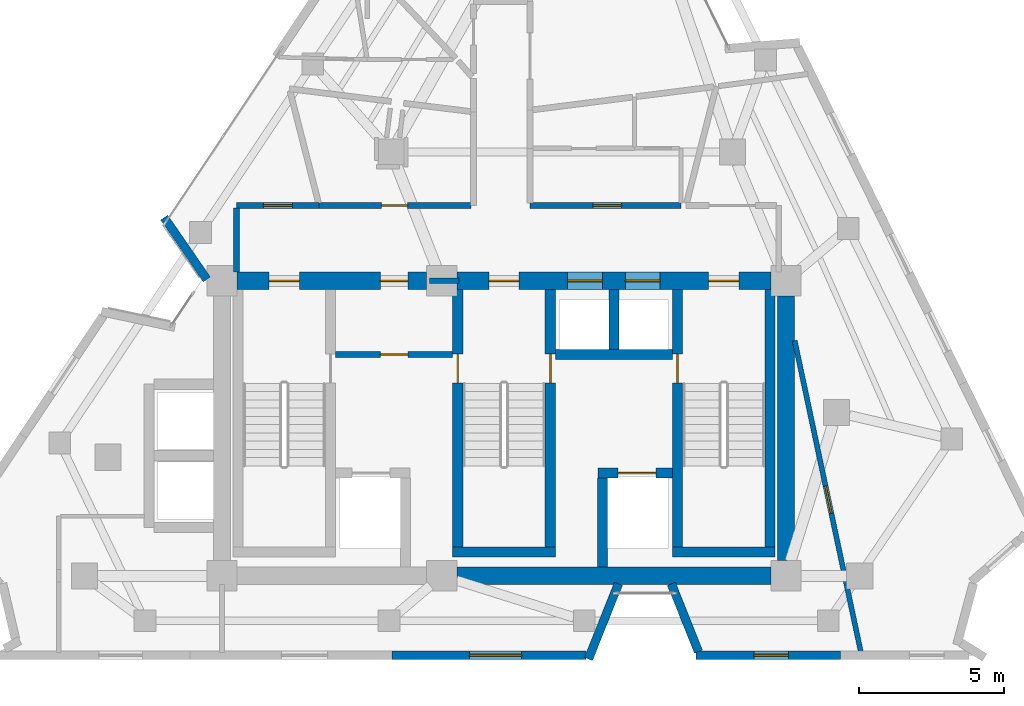
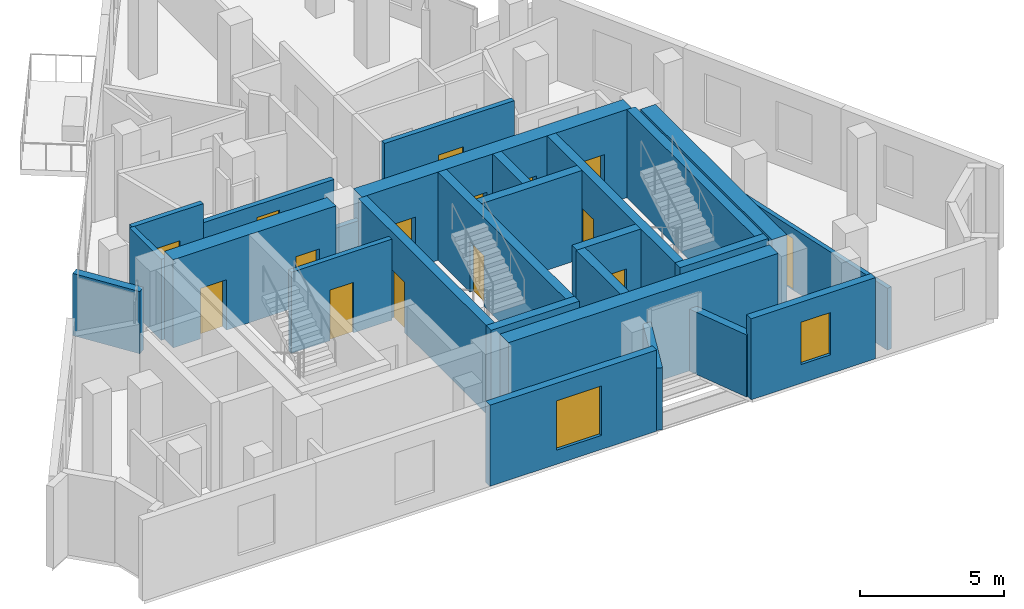
# One storey, part 5 of 8: 26 walls, 15 doors, 2 windows, 17 openings.
"""IFC4 building model written with IfcOpenShell, lengths in metres."""

from ifc_helpers import new_model, si_unit, direction, frame, frame_2d, origin, place, context, subcontext, project, spatial, rectangle, extrude, material, layer, layer_set, type_object, element, fill, save


model = new_model("IFC4")

# Units and contexts
model_context = context("Model", 3, precision=1e-05, world=origin(), true_north=direction((0.0, 1.0)))
body_context = subcontext(model_context, "Body", "Model", "MODEL_VIEW")
ifc_project = project(units=[si_unit("LENGTHUNIT", "METRE"), si_unit("AREAUNIT", "SQUARE_METRE"), si_unit("VOLUMEUNIT", "CUBIC_METRE"), si_unit("PLANEANGLEUNIT", "RADIAN"), si_unit("MASSUNIT", "GRAM", prefix="KILO")], contexts=[model_context])

# Site, building, storey
site_placement = place(None, origin())
site = spatial("IfcSite", under=ifc_project, at=site_placement, CompositionType="ELEMENT")
building_placement = place(site_placement, origin())
building = spatial("IfcBuilding", under=site, at=building_placement, Name="Almagre Mirador Tower", CompositionType="ELEMENT")
storey_placement = place(building_placement, frame((0.0, 0.0, 285.75)))
storey = spatial("IfcBuildingStorey", under=building, at=storey_placement, Name="L74", CompositionType="ELEMENT", Elevation=285.75)

# Wall
ifc_material_1 = material(Name="Precast concrete C50/60", Category="concrete")
ifc_layer_1 = layer(ifc_material_1, 0.300048828125)
ifc_layer_set_1 = layer_set([ifc_layer_1], Name="Precast concrete C50/60")
wall_type_1 = type_object("IfcWallType", Name="WAL-EXT-300", PredefinedType="SOLIDWALL", material=ifc_layer_set_1)
wall_1_placement = place(storey_placement, frame((27.0205078125, 14.80078125, 0.0), z_axis=(0.0, 0.0, 1.0), x_axis=(-0.567515168171, 0.82336294178, 0.0)))
element("IfcWall", 1, at=wall_1_placement, inside=storey, type_object=wall_type_1, Name="L74 expressed almagre precast frame wall 02", PredefinedType="SOLIDWALL", context=body_context, shape_type="SweptSolid", body=[
    extrude(rectangle(XDim=2.59375, YDim=0.300048828125, at=frame_2d((1.296875, 0.0))), origin(), (0.0, 0.0, 1.0), 2.64599609375),
])

# Wall, opening, window
wall_2_placement = place(storey_placement, frame((48.93603515625, 1.800048828125, 0.0), z_axis=(0.0, 0.0, 1.0), x_axis=(-1.0, 0.0, 0.0)))
wall_2 = element("IfcWall", 2, at=wall_2_placement, inside=storey, type_object=wall_type_1, Name="L74 expressed almagre precast frame wall 21", PredefinedType="SOLIDWALL", context=body_context, shape_type="SweptSolid", body=[
    extrude(rectangle(XDim=5.004150390625, YDim=0.300048828125, at=frame_2d((2.501953125, 0.0))), origin(), (0.0, 0.0, 1.0), 3.449951171875),
])
opening_1_placement = place(wall_2_placement, frame((1.800048828125, 0.0, 0.800048828125)))
opening_1 = element("IfcOpeningElement", 3, at=opening_1_placement, cuts=wall_2, Name="Opening WN-04", PredefinedType="OPENING", context=body_context, shape_type="SweptSolid", body=[
    extrude(rectangle(XDim=1.199951171875, YDim=1.800048828125, at=frame_2d((0.60009765625, 0.89990234375))), frame((0.0, 0.159902, 0.0), z_axis=(0.0, -1.0, 0.0), x_axis=(1.0, 0.0, 0.0)), (0.0, 0.0, 1.0), 0.320049),
])
ifc_material_2 = material(Name="Dark solar-control laminated hurricane glass", Category="glass")
window_type_1 = type_object("IfcWindowType", Name="WIN-1200X1800", PartitioningType="SINGLE_PANEL", PredefinedType="WINDOW", material=ifc_material_2)
window_1_placement = place(opening_1_placement, origin())
window_1 = element("IfcWindow", 4, at=window_1_placement, inside=storey, type_object=window_type_1, Name="L74 recessed hurricane window L74-RST-B", OverallHeight=1.800048828125, OverallWidth=1.199951171875, PartitioningType="SINGLE_PANEL", PredefinedType="WINDOW", context=body_context, shape_type="SweptSolid", body=[
    extrude(rectangle(XDim=1.199951171875, YDim=1.800048828125, at=frame_2d((0.60009765625, 0.89990234375))), frame((0.0, 0.030029296875, 0.0), z_axis=(0.0, -1.0, 0.0), x_axis=(1.0, 0.0, 0.0)), (0.0, 0.0, 1.0), 0.06005859375),
])
fill(opening_1, window_1)

# Walls
wall_3_placement = place(storey_placement, frame((44.022216796875, 1.92529296875, 0.0), z_axis=(0.0, 0.0, 1.0), x_axis=(-0.369540985735, 0.929214431583, 0.0)))
element("IfcWall", 5, at=wall_3_placement, inside=storey, type_object=wall_type_1, Name="L74 expressed almagre precast frame wall 22", PredefinedType="SOLIDWALL", context=body_context, shape_type="SweptSolid", body=[
    extrude(rectangle(XDim=2.527099609375, YDim=0.300048828125, at=frame_2d((1.263671875, 0.0))), origin(), (0.0, 0.0, 1.0), 2.64599609375),
])
wall_4_placement = place(storey_placement, frame((41.255615234375, 4.2734375, 0.0), z_axis=(0.0, 0.0, 1.0), x_axis=(-0.369542065233, -0.929214002275, 0.0)))
element("IfcWall", 6, at=wall_4_placement, inside=storey, type_object=wall_type_1, Name="L74 expressed almagre precast frame wall 23", PredefinedType="SOLIDWALL", context=body_context, shape_type="SweptSolid", body=[
    extrude(rectangle(XDim=2.8017578125, YDim=0.300048828125, at=frame_2d((1.40087890625, 0.0))), origin(), (0.0, 0.0, 1.0), 2.64599609375),
])

# Wall, opening, window
wall_5_placement = place(storey_placement, frame((40.136962890625, 1.800048828125, 0.0), z_axis=(0.0, 0.0, 1.0), x_axis=(-1.0, 0.0, 0.0)))
wall_5 = element("IfcWall", 7, at=wall_5_placement, inside=storey, type_object=wall_type_1, Name="L74 expressed almagre precast frame wall 24", PredefinedType="SOLIDWALL", context=body_context, shape_type="SweptSolid", body=[
    extrude(rectangle(XDim=6.708984375, YDim=0.300048828125, at=frame_2d((3.3544921875, 0.0))), origin(), (0.0, 0.0, 1.0), 3.449951171875),
])
opening_2_placement = place(wall_5_placement, frame((2.22509765625, 0.0, 0.60009765625)))
opening_2 = element("IfcOpeningElement", 8, at=opening_2_placement, cuts=wall_5, Name="Opening WN-01", PredefinedType="OPENING", context=body_context, shape_type="SweptSolid", body=[
    extrude(rectangle(XDim=1.800048828125, YDim=2.10009765625, at=frame_2d((0.89990234375, 1.050048828125))), frame((0.0, 0.159902, 0.0), z_axis=(0.0, -1.0, 0.0), x_axis=(1.0, 0.0, 0.0)), (0.0, 0.0, 1.0), 0.320049),
])
ifc_material_3 = material(Name="Dark solar-control laminated hurricane glass", Category="glass")
window_type_2 = type_object("IfcWindowType", Name="WIN-1800X2100", PartitioningType="DOUBLE_PANEL_VERTICAL", PredefinedType="WINDOW", material=ifc_material_3)
window_2_placement = place(opening_2_placement, origin())
window_2 = element("IfcWindow", 9, at=window_2_placement, inside=storey, type_object=window_type_2, Name="L74 recessed hurricane window L74-RST-B", OverallHeight=2.10009765625, OverallWidth=1.800048828125, PartitioningType="SINGLE_PANEL", PredefinedType="WINDOW", context=body_context, shape_type="SweptSolid", body=[
    extrude(rectangle(XDim=1.800048828125, YDim=2.10009765625, at=frame_2d((0.89990234375, 1.050048828125))), frame((0.0, 0.030029296875, 0.0), z_axis=(0.0, -1.0, 0.0), x_axis=(1.0, 0.0, 0.0)), (0.0, 0.0, 1.0), 0.06005859375),
])
fill(opening_2, window_2)

# Wall, opening, door
ifc_material_4 = material(Name="Gypsum acoustic stud partition", Category="other")
ifc_layer_2 = layer(ifc_material_4, 0.175048828125)
ifc_layer_set_2 = layer_set([ifc_layer_2], Name="Gypsum acoustic stud partition")
wall_type_2 = type_object("IfcWallType", Name="WAL-PRT-175-AC", PredefinedType="PARTITIONING", material=ifc_layer_set_2)
wall_6_placement = place(storey_placement, frame((49.64208984375, 1.89697265625, 0.0), z_axis=(0.0, 0.0, 1.0), x_axis=(-0.207911994687, 0.978147536144, 0.0)))
wall_6 = element("IfcWall", 10, at=wall_6_placement, inside=storey, type_object=wall_type_2, Name="L74 interior partition 024", PredefinedType="PARTITIONING", context=body_context, shape_type="SweptSolid", body=[
    extrude(rectangle(XDim=11.02392578125, YDim=0.175048828125, at=frame_2d((5.511962890625, 0.0))), origin(), (0.0, 0.0, 1.0), 2.635009765625),
])
opening_3_placement = place(wall_6_placement, frame((4.927734375, 0.0, 0.0)))
opening_3 = element("IfcOpeningElement", 11, at=opening_3_placement, cuts=wall_6, Name="Opening UD-01", PredefinedType="OPENING", context=body_context, shape_type="SweptSolid", body=[
    extrude(rectangle(XDim=0.949951171875, YDim=2.199951171875, at=frame_2d((0.47509765625, 1.10009765625))), frame((0.0, 0.097402, 0.0), z_axis=(0.0, -1.0, 0.0), x_axis=(1.0, 0.0, 0.0)), (0.0, 0.0, 1.0), 0.195049),
])
ifc_material_5 = material(Name="Solid American walnut timber", Category="wood")
door_type_1 = type_object("IfcDoorType", Name="DOR-UNR-950X2200", OperationType="NOTDEFINED", PredefinedType="DOOR", material=ifc_material_5)
door_1_placement = place(opening_3_placement, origin())
door_1 = element("IfcDoor", 12, at=door_1_placement, inside=storey, type_object=door_type_1, Name="DR-2228 L74 interior door L74-RST-B to L74-RST-E", OperationType="SINGLE_SWING_LEFT", OverallHeight=2.199951171875, OverallWidth=0.949951171875, PredefinedType="DOOR", context=body_context, shape_type="SweptSolid", body=[
    extrude(rectangle(XDim=0.949951171875, YDim=2.199951171875, at=frame_2d((0.47509765625, 1.10009765625))), frame((0.0, 0.02490234375, 0.0), z_axis=(0.0, -1.0, 0.0), x_axis=(1.0, 0.0, 0.0)), (0.0, 0.0, 1.0), 0.050048828125),
])
fill(opening_3, door_1)

# Wall
ifc_material_6 = material(Name="Gypsum acoustic stud partition", Category="other")
ifc_layer_3 = layer(ifc_material_6, 0.199951171875)
ifc_layer_set_3 = layer_set([ifc_layer_3], Name="Gypsum acoustic stud partition")
wall_type_3 = type_object("IfcWallType", Name="WAL-PRT-200-EI60", PredefinedType="PARTITIONING", material=ifc_layer_set_3)
wall_7_placement = place(storey_placement, frame((34.719970703125, 14.75, 0.0), z_axis=(0.0, 0.0, 1.0), x_axis=(1.0, 0.0, 0.0)))
element("IfcWall", 13, at=wall_7_placement, inside=storey, type_object=wall_type_3, Name="L74 core north closure wall", PredefinedType="PARTITIONING", context=body_context, shape_type="SweptSolid", body=[
    extrude(rectangle(XDim=1.030029296875, YDim=0.199951171875, at=frame_2d((0.51513671875, 0.0))), origin(), (0.0, 0.0, 1.0), 2.635009765625),
])

# Wall, opening, door
wall_8_placement = place(storey_placement, frame((31.47998046875, 12.199951171875, 0.0), z_axis=(0.0, 0.0, 1.0), x_axis=(1.0, 0.0, 0.0)))
wall_8 = element("IfcWall", 14, at=wall_8_placement, inside=storey, type_object=wall_type_3, Name="L74 FFL-1 north enclosure wall", PredefinedType="PARTITIONING", context=body_context, shape_type="SweptSolid", body=[
    extrude(rectangle(XDim=4.0400390625, YDim=0.199951171875, at=frame_2d((2.02001953125, 0.0))), origin(), (0.0, 0.0, 1.0), 3.449951171875),
])
opening_4_placement = place(wall_8_placement, frame((1.544921875, 0.0, 0.0)))
opening_4 = element("IfcOpeningElement", 15, at=opening_4_placement, cuts=wall_8, Name="Opening ID-02", PredefinedType="OPENING", context=body_context, shape_type="SweptSolid", body=[
    extrude(rectangle(XDim=0.949951171875, YDim=2.14990234375, at=frame_2d((0.47509765625, 1.074951171875))), frame((0.0, 0.110098, 0.0), z_axis=(0.0, -1.0, 0.0), x_axis=(1.0, 0.0, 0.0)), (0.0, 0.0, 1.0), 0.219951),
])
ifc_material_7 = material(Name="Fire-rated walnut timber", Category="wood")
door_type_2 = type_object("IfcDoorType", Name="DOR-FD60-950X2150", OperationType="NOTDEFINED", PredefinedType="DOOR", material=ifc_material_7)
door_2_placement = place(opening_4_placement, origin())
door_2 = element("IfcDoor", 16, at=door_2_placement, inside=storey, type_object=door_type_2, Name="DR-2213 L74 FFL-1 north smoke door", OperationType="SINGLE_SWING_LEFT", OverallHeight=2.14990234375, OverallWidth=0.949951171875, PredefinedType="DOOR", context=body_context, shape_type="SweptSolid", body=[
    extrude(rectangle(XDim=0.949951171875, YDim=2.14990234375, at=frame_2d((0.47509765625, 1.074951171875))), frame((0.0, 0.02490234375, 0.0), z_axis=(0.0, -1.0, 0.0), x_axis=(1.0, 0.0, 0.0)), (0.0, 0.0, 1.0), 0.050048828125),
])
fill(opening_4, door_2)

wall_9_placement = place(storey_placement, frame((36.1650390625, 17.35009765625, 0.0), z_axis=(0.0, 0.0, 1.0), x_axis=(-1.0, 0.0, 0.0)))
wall_9 = element("IfcWall", 17, at=wall_9_placement, inside=storey, type_object=wall_type_3, Name="L74 interior partition 005", PredefinedType="PARTITIONING", context=body_context, shape_type="SweptSolid", body=[
    extrude(rectangle(XDim=5.255126953125, YDim=0.199951171875, at=frame_2d((2.62744140625, 0.0))), origin(), (0.0, 0.0, 1.0), 2.635009765625),
])
opening_5_placement = place(wall_9_placement, frame((2.1943359375, 0.0, 0.0)))
opening_5 = element("IfcOpeningElement", 18, at=opening_5_placement, cuts=wall_9, Name="Opening ID-03", PredefinedType="OPENING", context=body_context, shape_type="SweptSolid", body=[
    extrude(rectangle(XDim=0.89990234375, YDim=2.10009765625, at=frame_2d((0.449951171875, 1.050048828125))), frame((0.0, 0.110098, 0.0), z_axis=(0.0, -1.0, 0.0), x_axis=(1.0, 0.0, 0.0)), (0.0, 0.0, 1.0), 0.219951),
])
ifc_material_8 = material(Name="Fire-rated hollow steel", Category="steel")
door_type_3 = type_object("IfcDoorType", Name="DOR-FD60-900X2100", OperationType="NOTDEFINED", PredefinedType="DOOR", material=ifc_material_8)
door_3_placement = place(opening_5_placement, origin())
door_3 = element("IfcDoor", 19, at=door_3_placement, inside=storey, type_object=door_type_3, Name="DR-2219 L74 interior door L74-RCOR to L74-RST-F", OperationType="SINGLE_SWING_LEFT", OverallHeight=2.10009765625, OverallWidth=0.89990234375, PredefinedType="DOOR", context=body_context, shape_type="SweptSolid", body=[
    extrude(rectangle(XDim=0.89990234375, YDim=2.10009765625, at=frame_2d((0.449951171875, 1.050048828125))), frame((0.0, 0.02490234375, 0.0), z_axis=(0.0, -1.0, 0.0), x_axis=(1.0, 0.0, 0.0)), (0.0, 0.0, 1.0), 0.050048828125),
])
fill(opening_5, door_3)

wall_10_placement = place(storey_placement, frame((43.419921875, 17.35009765625, 0.0), z_axis=(0.0, 0.0, 1.0), x_axis=(-1.0, 0.0, 0.0)))
wall_10 = element("IfcWall", 20, at=wall_10_placement, inside=storey, type_object=wall_type_3, Name="L74 interior partition 006", PredefinedType="PARTITIONING", context=body_context, shape_type="SweptSolid", body=[
    extrude(rectangle(XDim=5.219970703125, YDim=0.199951171875, at=frame_2d((2.60986328125, 0.0))), origin(), (0.0, 0.0, 1.0), 3.449951171875),
])
opening_6_placement = place(wall_10_placement, frame((2.05029296875, 0.0, 0.0)))
opening_6 = element("IfcOpeningElement", 21, at=opening_6_placement, cuts=wall_10, Name="Opening ID-01", PredefinedType="OPENING", context=body_context, shape_type="SweptSolid", body=[
    extrude(rectangle(XDim=1.0, YDim=2.199951171875, at=frame_2d((0.5, 1.10009765625))), frame((0.0, 0.110098, 0.0), z_axis=(0.0, -1.0, 0.0), x_axis=(1.0, 0.0, 0.0)), (0.0, 0.0, 1.0), 0.219951),
])
ifc_material_9 = material(Name="Fire-rated walnut timber", Category="wood")
door_type_4 = type_object("IfcDoorType", Name="DOR-FD60-1000X2200", OperationType="NOTDEFINED", PredefinedType="DOOR", material=ifc_material_9)
door_4_placement = place(opening_6_placement, origin())
door_4 = element("IfcDoor", 22, at=door_4_placement, inside=storey, type_object=door_type_4, Name="DR-2222 L74 interior door L74-RCOR to L74-UG-ST", OperationType="SINGLE_SWING_RIGHT", OverallHeight=2.199951171875, OverallWidth=1.0, PredefinedType="DOOR", context=body_context, shape_type="SweptSolid", body=[
    extrude(rectangle(XDim=1.0, YDim=2.199951171875, at=frame_2d((0.5, 1.10009765625))), frame((0.0, 0.02490234375, 0.0), z_axis=(0.0, -1.0, 0.0), x_axis=(1.0, 0.0, 0.0)), (0.0, 0.0, 1.0), 0.050048828125),
])
fill(opening_6, door_4)

wall_11_placement = place(storey_placement, frame((30.909912109375, 17.35009765625, 0.0), z_axis=(0.0, 0.0, 1.0), x_axis=(-1.0, 0.0, 0.0)))
wall_11 = element("IfcWall", 23, at=wall_11_placement, inside=storey, type_object=wall_type_3, Name="L74 interior partition 009", PredefinedType="PARTITIONING", context=body_context, shape_type="SweptSolid", body=[
    extrude(rectangle(XDim=2.85986328125, YDim=0.199951171875, at=frame_2d((1.429931640625, 0.0))), origin(), (0.0, 0.0, 1.0), 3.449951171875),
])
opening_7_placement = place(wall_11_placement, frame((0.929931640625, 0.0, 0.0)))
opening_7 = element("IfcOpeningElement", 24, at=opening_7_placement, cuts=wall_11, Name="Opening ID-01", PredefinedType="OPENING", context=body_context, shape_type="SweptSolid", body=[
    extrude(rectangle(XDim=1.0, YDim=2.199951171875, at=frame_2d((0.5, 1.10009765625))), frame((0.0, 0.110098, 0.0), z_axis=(0.0, -1.0, 0.0), x_axis=(1.0, 0.0, 0.0)), (0.0, 0.0, 1.0), 0.219951),
])
door_5_placement = place(opening_7_placement, origin())
door_5 = element("IfcDoor", 25, at=door_5_placement, inside=storey, type_object=door_type_4, Name="DR-2225 L74 interior door L74-RCOR to L74-UH-ST", OperationType="SINGLE_SWING_RIGHT", OverallHeight=2.199951171875, OverallWidth=1.0, PredefinedType="DOOR", context=body_context, shape_type="SweptSolid", body=[
    extrude(rectangle(XDim=1.0, YDim=2.199951171875, at=frame_2d((0.5, 1.10009765625))), frame((0.0, 0.02490234375, 0.0), z_axis=(0.0, -1.0, 0.0), x_axis=(1.0, 0.0, 0.0)), (0.0, 0.0, 1.0), 0.050048828125),
])
fill(opening_7, door_5)

# Wall
wall_12_placement = place(storey_placement, frame((28.050048828125, 17.264892578125, 0.0), z_axis=(0.0, 0.0, 1.0), x_axis=(0.0, -1.0, 0.0)))
element("IfcWall", 26, at=wall_12_placement, inside=storey, type_object=wall_type_3, Name="L74 interior partition 049", PredefinedType="PARTITIONING", context=body_context, shape_type="SweptSolid", body=[
    extrude(rectangle(XDim=2.21484375, YDim=0.199951171875, at=frame_2d((1.107421875, 0.0))), origin(), (0.0, 0.0, 1.0), 3.449951171875),
])

# Wall, opening, door
ifc_material_10 = material(Name="Concrete C60/75", Category="concrete")
ifc_layer_4 = layer(ifc_material_10, 0.35009765625)
ifc_layer_set_4 = layer_set([ifc_layer_4], Name="Concrete C60/75")
wall_type_4 = type_object("IfcWallType", Name="WAL-SHF-350", PredefinedType="SOLIDWALL", material=ifc_layer_set_4)
wall_13_placement = place(storey_placement, frame((35.699951171875, 5.199951171875, 0.0), z_axis=(0.0, 0.0, 1.0), x_axis=(0.0, 1.0, 0.0)))
wall_13 = element("IfcWall", 27, at=wall_13_placement, inside=storey, type_object=wall_type_4, Name="L74 shaft wall ST2-W", PredefinedType="SOLIDWALL", context=body_context, shape_type="SweptSolid", body=[
    extrude(rectangle(XDim=9.25, YDim=0.35009765625, at=frame_2d((4.625, 0.0))), origin(), (0.0, 0.0, 1.0), 3.75),
])
opening_8_placement = place(wall_13_placement, frame((6.02001953125, 0.0, 0.0)))
opening_8 = element("IfcOpeningElement", 28, at=opening_8_placement, cuts=wall_13, Name="Opening FD-01", PredefinedType="OPENING", context=body_context, shape_type="SweptSolid", body=[
    extrude(rectangle(XDim=1.0, YDim=2.14990234375, at=frame_2d((0.5, 1.074951171875))), frame((0.0, 0.185049, 0.0), z_axis=(0.0, -1.0, 0.0), x_axis=(1.0, 0.0, 0.0)), (0.0, 0.0, 1.0), 0.370098),
])
ifc_material_11 = material(Name="Fire-rated hollow steel", Category="steel")
door_type_5 = type_object("IfcDoorType", Name="DOR-FFL-1000X2150", OperationType="NOTDEFINED", PredefinedType="DOOR", material=ifc_material_11)
door_6_placement = place(opening_8_placement, origin())
door_6 = element("IfcDoor", 29, at=door_6_placement, inside=storey, type_object=door_type_5, Name="DR-2215 L74 FFL1-ST2 smokeproof door", OperationType="SINGLE_SWING_RIGHT", OverallHeight=2.14990234375, OverallWidth=1.0, PredefinedType="DOOR", context=body_context, shape_type="SweptSolid", body=[
    extrude(rectangle(XDim=1.0, YDim=2.14990234375, at=frame_2d((0.5, 1.074951171875))), frame((0.0, 0.02490234375, 0.0), z_axis=(0.0, -1.0, 0.0), x_axis=(1.0, 0.0, 0.0)), (0.0, 0.0, 1.0), 0.050048828125),
])
fill(opening_8, door_6)

wall_14_placement = place(storey_placement, frame((38.89990234375, 5.199951171875, 0.0), z_axis=(0.0, 0.0, 1.0), x_axis=(0.0, 1.0, 0.0)))
wall_14 = element("IfcWall", 30, at=wall_14_placement, inside=storey, type_object=wall_type_4, Name="L74 shaft wall ST2-E", PredefinedType="SOLIDWALL", context=body_context, shape_type="SweptSolid", body=[
    extrude(rectangle(XDim=9.25, YDim=0.35009765625, at=frame_2d((4.625, 0.0))), origin(), (0.0, 0.0, 1.0), 3.75),
])
opening_9_placement = place(wall_14_placement, frame((6.02001953125, 0.0, 0.0)))
opening_9 = element("IfcOpeningElement", 31, at=opening_9_placement, cuts=wall_14, Name="Opening FD-01", PredefinedType="OPENING", context=body_context, shape_type="SweptSolid", body=[
    extrude(rectangle(XDim=1.0, YDim=2.14990234375, at=frame_2d((0.5, 1.074951171875))), frame((0.0, 0.185049, 0.0), z_axis=(0.0, -1.0, 0.0), x_axis=(1.0, 0.0, 0.0)), (0.0, 0.0, 1.0), 0.370098),
])
door_7_placement = place(opening_9_placement, origin())
door_7 = element("IfcDoor", 32, at=door_7_placement, inside=storey, type_object=door_type_5, Name="DR-2216 L74 FFL2-ST2 smokeproof door", OperationType="SINGLE_SWING_LEFT", OverallHeight=2.14990234375, OverallWidth=1.0, PredefinedType="DOOR", context=body_context, shape_type="SweptSolid", body=[
    extrude(rectangle(XDim=1.0, YDim=2.14990234375, at=frame_2d((0.5, 1.074951171875))), frame((0.0, 0.02490234375, 0.0), z_axis=(0.0, -1.0, 0.0), x_axis=(1.0, 0.0, 0.0)), (0.0, 0.0, 1.0), 0.050048828125),
])
fill(opening_9, door_7)

# Wall
wall_15_placement = place(storey_placement, frame((35.52490234375, 5.375, 0.0), z_axis=(0.0, 0.0, 1.0), x_axis=(1.0, 0.0, 0.0)))
element("IfcWall", 33, at=wall_15_placement, inside=storey, type_object=wall_type_4, Name="L74 shaft wall ST2-S", PredefinedType="SOLIDWALL", context=body_context, shape_type="SweptSolid", body=[
    extrude(rectangle(XDim=3.550048828125, YDim=0.35009765625, at=frame_2d((1.77490234375, 0.0))), origin(), (0.0, 0.0, 1.0), 3.75),
])

# Wall, opening, door
wall_16_placement = place(storey_placement, frame((43.300048828125, 5.199951171875, 0.0), z_axis=(0.0, 0.0, 1.0), x_axis=(0.0, 1.0, 0.0)))
wall_16 = element("IfcWall", 34, at=wall_16_placement, inside=storey, type_object=wall_type_4, Name="L74 shaft wall ST3-W", PredefinedType="SOLIDWALL", context=body_context, shape_type="SweptSolid", body=[
    extrude(rectangle(XDim=9.25, YDim=0.35009765625, at=frame_2d((4.625, 0.0))), origin(), (0.0, 0.0, 1.0), 3.75),
])
opening_10_placement = place(wall_16_placement, frame((6.02001953125, 0.0, 0.0)))
opening_10 = element("IfcOpeningElement", 35, at=opening_10_placement, cuts=wall_16, Name="Opening FD-01", PredefinedType="OPENING", context=body_context, shape_type="SweptSolid", body=[
    extrude(rectangle(XDim=1.0, YDim=2.14990234375, at=frame_2d((0.5, 1.074951171875))), frame((0.0, 0.185049, 0.0), z_axis=(0.0, -1.0, 0.0), x_axis=(1.0, 0.0, 0.0)), (0.0, 0.0, 1.0), 0.370098),
])
door_8_placement = place(opening_10_placement, origin())
door_8 = element("IfcDoor", 36, at=door_8_placement, inside=storey, type_object=door_type_5, Name="DR-2217 L74 FFL2-ST3 smokeproof door", OperationType="SINGLE_SWING_RIGHT", OverallHeight=2.14990234375, OverallWidth=1.0, PredefinedType="DOOR", context=body_context, shape_type="SweptSolid", body=[
    extrude(rectangle(XDim=1.0, YDim=2.14990234375, at=frame_2d((0.5, 1.074951171875))), frame((0.0, 0.02490234375, 0.0), z_axis=(0.0, -1.0, 0.0), x_axis=(1.0, 0.0, 0.0)), (0.0, 0.0, 1.0), 0.050048828125),
])
fill(opening_10, door_8)

# Walls
wall_17_placement = place(storey_placement, frame((46.5, 5.199951171875, 0.0), z_axis=(0.0, 0.0, 1.0), x_axis=(0.0, 1.0, 0.0)))
element("IfcWall", 37, at=wall_17_placement, inside=storey, type_object=wall_type_4, Name="L74 shaft wall ST3-E", PredefinedType="SOLIDWALL", context=body_context, shape_type="SweptSolid", body=[
    extrude(rectangle(XDim=9.25, YDim=0.35009765625, at=frame_2d((4.625, 0.0))), origin(), (0.0, 0.0, 1.0), 3.75),
])
wall_18_placement = place(storey_placement, frame((43.125, 5.375, 0.0), z_axis=(0.0, 0.0, 1.0), x_axis=(1.0, 0.0, 0.0)))
element("IfcWall", 38, at=wall_18_placement, inside=storey, type_object=wall_type_4, Name="L74 shaft wall ST3-S", PredefinedType="SOLIDWALL", context=body_context, shape_type="SweptSolid", body=[
    extrude(rectangle(XDim=3.550048828125, YDim=0.35009765625, at=frame_2d((1.77490234375, 0.0))), origin(), (0.0, 0.0, 1.0), 3.75),
])

# Wall, opening, door
wall_19_placement = place(storey_placement, frame((40.550048828125, 8.10009765625, 0.0), z_axis=(0.0, 0.0, 1.0), x_axis=(1.0, 0.0, 0.0)))
wall_19 = element("IfcWall", 39, at=wall_19_placement, inside=storey, type_object=wall_type_4, Name="L74 shaft wall FSAE2-N", PredefinedType="SOLIDWALL", context=body_context, shape_type="SweptSolid", body=[
    extrude(rectangle(XDim=2.574951171875, YDim=0.35009765625, at=frame_2d((1.28759765625, 0.0))), origin(), (0.0, 0.0, 1.0), 3.75),
])
opening_11_placement = place(wall_19_placement, frame((0.699951171875, 0.0, 0.0)))
opening_11 = element("IfcOpeningElement", 40, at=opening_11_placement, cuts=wall_19, Name="Opening LD-03", PredefinedType="OPENING", context=body_context, shape_type="SweptSolid", body=[
    extrude(rectangle(XDim=1.300048828125, YDim=2.25, at=frame_2d((0.64990234375, 1.125))), frame((0.0, 0.185049, 0.0), z_axis=(0.0, -1.0, 0.0), x_axis=(1.0, 0.0, 0.0)), (0.0, 0.0, 1.0), 0.370098),
])
ifc_material_12 = material(Name="Hollow stainless steel", Category="steel")
door_type_6 = type_object("IfcDoorType", Name="DOR-LD-1300X2250", OperationType="DOUBLE_DOOR_SLIDING", PredefinedType="DOOR", material=ifc_material_12)
door_9_placement = place(opening_11_placement, origin())
door_9 = element("IfcDoor", 41, at=door_9_placement, inside=storey, type_object=door_type_6, Name="DR-2230 L74 FSAE-2 lift landing door", OperationType="DOUBLE_DOOR_SLIDING", OverallHeight=2.25, OverallWidth=1.300048828125, PredefinedType="DOOR", context=body_context, shape_type="SweptSolid", body=[
    extrude(rectangle(XDim=1.300048828125, YDim=2.25, at=frame_2d((0.64990234375, 1.125))), frame((0.0, 0.02490234375, 0.0), z_axis=(0.0, -1.0, 0.0), x_axis=(1.0, 0.0, 0.0)), (0.0, 0.0, 1.0), 0.050048828125),
])
fill(opening_11, door_9)

# Walls
wall_20_placement = place(storey_placement, frame((40.699951171875, 4.85009765625, 0.0), z_axis=(0.0, 0.0, 1.0), x_axis=(0.0, 1.0, 0.0)))
element("IfcWall", 42, at=wall_20_placement, inside=storey, type_object=wall_type_4, Name="L74 shaft wall FSAE2-W", PredefinedType="SOLIDWALL", context=body_context, shape_type="SweptSolid", body=[
    extrude(rectangle(XDim=3.074951171875, YDim=0.35009765625, at=frame_2d((1.53759765625, 0.0))), origin(), (0.0, 0.0, 1.0), 3.75),
])
wall_21_placement = place(storey_placement, frame((39.074951171875, 12.199951171875, 0.0), z_axis=(0.0, 0.0, 1.0), x_axis=(1.0, 0.0, 0.0)))
element("IfcWall", 43, at=wall_21_placement, inside=storey, type_object=wall_type_4, Name="L74 shaft wall PLH-S", PredefinedType="SOLIDWALL", context=body_context, shape_type="SweptSolid", body=[
    extrude(rectangle(XDim=4.050048828125, YDim=0.35009765625, at=frame_2d((2.02490234375, 0.0))), origin(), (0.0, 0.0, 1.0), 3.75),
])
wall_22_placement = place(storey_placement, frame((41.10009765625, 12.375, 0.0), z_axis=(0.0, 0.0, 1.0), x_axis=(0.0, 1.0, 0.0)))
element("IfcWall", 44, at=wall_22_placement, inside=storey, type_object=wall_type_4, Name="L74 shaft wall PLH-M", PredefinedType="SOLIDWALL", context=body_context, shape_type="SweptSolid", body=[
    extrude(rectangle(XDim=2.074951171875, YDim=0.35009765625, at=frame_2d((1.03759765625, 0.0))), origin(), (0.0, 0.0, 1.0), 3.75),
])
ifc_material_13 = material(Name="Concrete C60/75", Category="concrete")
ifc_layer_5 = layer(ifc_material_13, 0.60009765625)
ifc_layer_set_5 = layer_set([ifc_layer_5], Name="Concrete C60/75")
wall_type_5 = type_object("IfcWallType", Name="WAL-SHR-600", PredefinedType="SHEAR", material=ifc_layer_set_5)
wall_23_placement = place(storey_placement, frame((35.675048828125, 4.550048828125, 0.0), z_axis=(0.0, 0.0, 1.0), x_axis=(1.0, 0.0, 0.0)))
element("IfcWall", 45, at=wall_23_placement, inside=storey, type_object=wall_type_5, Name="L74 core shear wall S2", PredefinedType="SHEAR", context=body_context, shape_type="SweptSolid", body=[
    extrude(rectangle(XDim=10.849853515625, YDim=0.60009765625, at=frame_2d((5.4248046875, 0.0))), origin(), (0.0, 0.0, 1.0), 3.75),
])

# Wall, openings, doors
wall_24_placement = place(storey_placement, frame((28.074951171875, 14.75, 0.0), z_axis=(0.0, 0.0, 1.0), x_axis=(1.0, 0.0, 0.0)))
wall_24 = element("IfcWall", 46, at=wall_24_placement, inside=storey, type_object=wall_type_5, Name="L74 core shear wall N1", PredefinedType="SHEAR", context=body_context, shape_type="SweptSolid", body=[
    extrude(rectangle(XDim=6.550048828125, YDim=0.60009765625, at=frame_2d((3.27490234375, 0.0))), origin(), (0.0, 0.0, 1.0), 3.75),
])
opening_12_placement = place(wall_24_placement, frame((1.10009765625, 0.0, 0.0)))
opening_12 = element("IfcOpeningElement", 47, at=opening_12_placement, cuts=wall_24, Name="Opening SD-01", PredefinedType="OPENING", context=body_context, shape_type="SweptSolid", body=[
    extrude(rectangle(XDim=1.050048828125, YDim=2.14990234375, at=frame_2d((0.52490234375, 1.074951171875))), frame((0.0, 0.310049, 0.0), z_axis=(0.0, -1.0, 0.0), x_axis=(1.0, 0.0, 0.0)), (0.0, 0.0, 1.0), 0.620098),
])
opening_13_placement = place(wall_24_placement, frame((4.949951171875, 0.0, 0.0)))
opening_13 = element("IfcOpeningElement", 48, at=opening_13_placement, cuts=wall_24, Name="Opening FD-02", PredefinedType="OPENING", context=body_context, shape_type="SweptSolid", body=[
    extrude(rectangle(XDim=0.949951171875, YDim=2.14990234375, at=frame_2d((0.47509765625, 1.074951171875))), frame((0.0, 0.310049, 0.0), z_axis=(0.0, -1.0, 0.0), x_axis=(1.0, 0.0, 0.0)), (0.0, 0.0, 1.0), 0.620098),
])
ifc_material_14 = material(Name="Fire-rated hollow steel", Category="steel")
door_type_7 = type_object("IfcDoorType", Name="DOR-FD90-950X2150", OperationType="NOTDEFINED", PredefinedType="DOOR", material=ifc_material_14)
door_10_placement = place(opening_13_placement, origin())
door_10 = element("IfcDoor", 49, at=door_10_placement, inside=storey, type_object=door_type_7, Name="DR-2212 L74 core equipment room north door", OperationType="SINGLE_SWING_LEFT", OverallHeight=2.14990234375, OverallWidth=0.949951171875, PredefinedType="DOOR", context=body_context, shape_type="SweptSolid", body=[
    extrude(rectangle(XDim=0.949951171875, YDim=2.14990234375, at=frame_2d((0.47509765625, 1.074951171875))), frame((0.0, 0.02490234375, 0.0), z_axis=(0.0, -1.0, 0.0), x_axis=(1.0, 0.0, 0.0)), (0.0, 0.0, 1.0), 0.050048828125),
])
fill(opening_13, door_10)
ifc_material_15 = material(Name="Fire-rated hollow steel", Category="steel")
door_type_8 = type_object("IfcDoorType", Name="DOR-ST-1050X2150", OperationType="NOTDEFINED", PredefinedType="DOOR", material=ifc_material_15)
door_11_placement = place(opening_12_placement, origin())
door_11 = element("IfcDoor", 50, at=door_11_placement, inside=storey, type_object=door_type_8, Name="DR-2233 L74 protected exit stair ST-1 door", OperationType="SINGLE_SWING_RIGHT", OverallHeight=2.14990234375, OverallWidth=1.050048828125, PredefinedType="DOOR", context=body_context, shape_type="SweptSolid", body=[
    extrude(rectangle(XDim=1.050048828125, YDim=2.14990234375, at=frame_2d((0.52490234375, 1.074951171875))), frame((0.0, 0.02490234375, 0.0), z_axis=(0.0, -1.0, 0.0), x_axis=(1.0, 0.0, 0.0)), (0.0, 0.0, 1.0), 0.050048828125),
])
fill(opening_12, door_11)

wall_25_placement = place(storey_placement, frame((35.675048828125, 14.75, 0.0), z_axis=(0.0, 0.0, 1.0), x_axis=(1.0, 0.0, 0.0)))
wall_25 = element("IfcWall", 51, at=wall_25_placement, inside=storey, type_object=wall_type_5, Name="L74 core shear wall N2", PredefinedType="SHEAR", context=body_context, shape_type="SweptSolid", body=[
    extrude(rectangle(XDim=10.849853515625, YDim=0.60009765625, at=frame_2d((5.4248046875, 0.0))), origin(), (0.0, 0.0, 1.0), 3.75),
])
opening_14_placement = place(wall_25_placement, frame((1.10009765625, 0.0, 0.0)))
opening_14 = element("IfcOpeningElement", 52, at=opening_14_placement, cuts=wall_25, Name="Opening SD-01", PredefinedType="OPENING", context=body_context, shape_type="SweptSolid", body=[
    extrude(rectangle(XDim=1.050048828125, YDim=2.14990234375, at=frame_2d((0.52490234375, 1.074951171875))), frame((0.0, 0.310049, 0.0), z_axis=(0.0, -1.0, 0.0), x_axis=(1.0, 0.0, 0.0)), (0.0, 0.0, 1.0), 0.620098),
])
opening_15_placement = place(wall_25_placement, frame((8.699951171875, 0.0, 0.0)))
opening_15 = element("IfcOpeningElement", 53, at=opening_15_placement, cuts=wall_25, Name="Opening SD-01", PredefinedType="OPENING", context=body_context, shape_type="SweptSolid", body=[
    extrude(rectangle(XDim=1.050048828125, YDim=2.14990234375, at=frame_2d((0.52490234375, 1.074951171875))), frame((0.0, 0.310049, 0.0), z_axis=(0.0, -1.0, 0.0), x_axis=(1.0, 0.0, 0.0)), (0.0, 0.0, 1.0), 0.620098),
])
opening_16_placement = place(wall_25_placement, frame((3.824951171875, 0.0, 0.0)))
opening_16 = element("IfcOpeningElement", 54, at=opening_16_placement, cuts=wall_25, Name="Opening LD-02", PredefinedType="OPENING", context=body_context, shape_type="SweptSolid", body=[
    extrude(rectangle(XDim=1.199951171875, YDim=2.199951171875, at=frame_2d((0.60009765625, 1.10009765625))), frame((0.0, 0.310049, 0.0), z_axis=(0.0, -1.0, 0.0), x_axis=(1.0, 0.0, 0.0)), (0.0, 0.0, 1.0), 0.620098),
])
opening_17_placement = place(wall_25_placement, frame((5.824951171875, 0.0, 0.0)))
opening_17 = element("IfcOpeningElement", 55, at=opening_17_placement, cuts=wall_25, Name="Opening LD-02", PredefinedType="OPENING", context=body_context, shape_type="SweptSolid", body=[
    extrude(rectangle(XDim=1.199951171875, YDim=2.199951171875, at=frame_2d((0.60009765625, 1.10009765625))), frame((0.0, 0.310049, 0.0), z_axis=(0.0, -1.0, 0.0), x_axis=(1.0, 0.0, 0.0)), (0.0, 0.0, 1.0), 0.620098),
])
ifc_material_16 = material(Name="Hollow stainless steel", Category="steel")
door_type_9 = type_object("IfcDoorType", Name="DOR-LD-1200X2200", OperationType="DOUBLE_DOOR_SLIDING", PredefinedType="DOOR", material=ifc_material_16)
door_12_placement = place(opening_16_placement, origin())
door_12 = element("IfcDoor", 56, at=door_12_placement, inside=storey, type_object=door_type_9, Name="DR-2231 L74 PL-H1 lift landing door", OperationType="DOUBLE_DOOR_SLIDING", OverallHeight=2.199951171875, OverallWidth=1.199951171875, PredefinedType="DOOR", context=body_context, shape_type="SweptSolid", body=[
    extrude(rectangle(XDim=1.199951171875, YDim=2.199951171875, at=frame_2d((0.60009765625, 1.10009765625))), frame((0.0, 0.02490234375, 0.0), z_axis=(0.0, -1.0, 0.0), x_axis=(1.0, 0.0, 0.0)), (0.0, 0.0, 1.0), 0.050048828125),
])
fill(opening_16, door_12)
door_13_placement = place(opening_17_placement, origin())
door_13 = element("IfcDoor", 57, at=door_13_placement, inside=storey, type_object=door_type_9, Name="DR-2232 L74 PL-H2 lift landing door", OperationType="DOUBLE_DOOR_SLIDING", OverallHeight=2.199951171875, OverallWidth=1.199951171875, PredefinedType="DOOR", context=body_context, shape_type="SweptSolid", body=[
    extrude(rectangle(XDim=1.199951171875, YDim=2.199951171875, at=frame_2d((0.60009765625, 1.10009765625))), frame((0.0, 0.02490234375, 0.0), z_axis=(0.0, -1.0, 0.0), x_axis=(1.0, 0.0, 0.0)), (0.0, 0.0, 1.0), 0.050048828125),
])
fill(opening_17, door_13)
door_14_placement = place(opening_14_placement, origin())
door_14 = element("IfcDoor", 58, at=door_14_placement, inside=storey, type_object=door_type_8, Name="DR-2234 L74 protected exit stair ST-2 door", OperationType="SINGLE_SWING_LEFT", OverallHeight=2.14990234375, OverallWidth=1.050048828125, PredefinedType="DOOR", context=body_context, shape_type="SweptSolid", body=[
    extrude(rectangle(XDim=1.050048828125, YDim=2.14990234375, at=frame_2d((0.52490234375, 1.074951171875))), frame((0.0, 0.02490234375, 0.0), z_axis=(0.0, -1.0, 0.0), x_axis=(1.0, 0.0, 0.0)), (0.0, 0.0, 1.0), 0.050048828125),
])
fill(opening_14, door_14)
door_15_placement = place(opening_15_placement, origin())
door_15 = element("IfcDoor", 59, at=door_15_placement, inside=storey, type_object=door_type_8, Name="DR-2235 L74 protected exit stair ST-3 door", OperationType="SINGLE_SWING_RIGHT", OverallHeight=2.14990234375, OverallWidth=1.050048828125, PredefinedType="DOOR", context=body_context, shape_type="SweptSolid", body=[
    extrude(rectangle(XDim=1.050048828125, YDim=2.14990234375, at=frame_2d((0.52490234375, 1.074951171875))), frame((0.0, 0.02490234375, 0.0), z_axis=(0.0, -1.0, 0.0), x_axis=(1.0, 0.0, 0.0)), (0.0, 0.0, 1.0), 0.050048828125),
])
fill(opening_15, door_15)

# Wall
wall_26_placement = place(storey_placement, frame((47.050048828125, 5.074951171875, 0.0), z_axis=(0.0, 0.0, 1.0), x_axis=(0.0, 1.0, 0.0)))
element("IfcWall", 60, at=wall_26_placement, inside=storey, type_object=wall_type_5, Name="L74 core shear wall E1", PredefinedType="SHEAR", context=body_context, shape_type="SweptSolid", body=[
    extrude(rectangle(XDim=9.150146484375, YDim=0.60009765625, at=frame_2d((4.5751953125, 0.0))), origin(), (0.0, 0.0, 1.0), 3.75),
])

save(model, "model.ifc")
